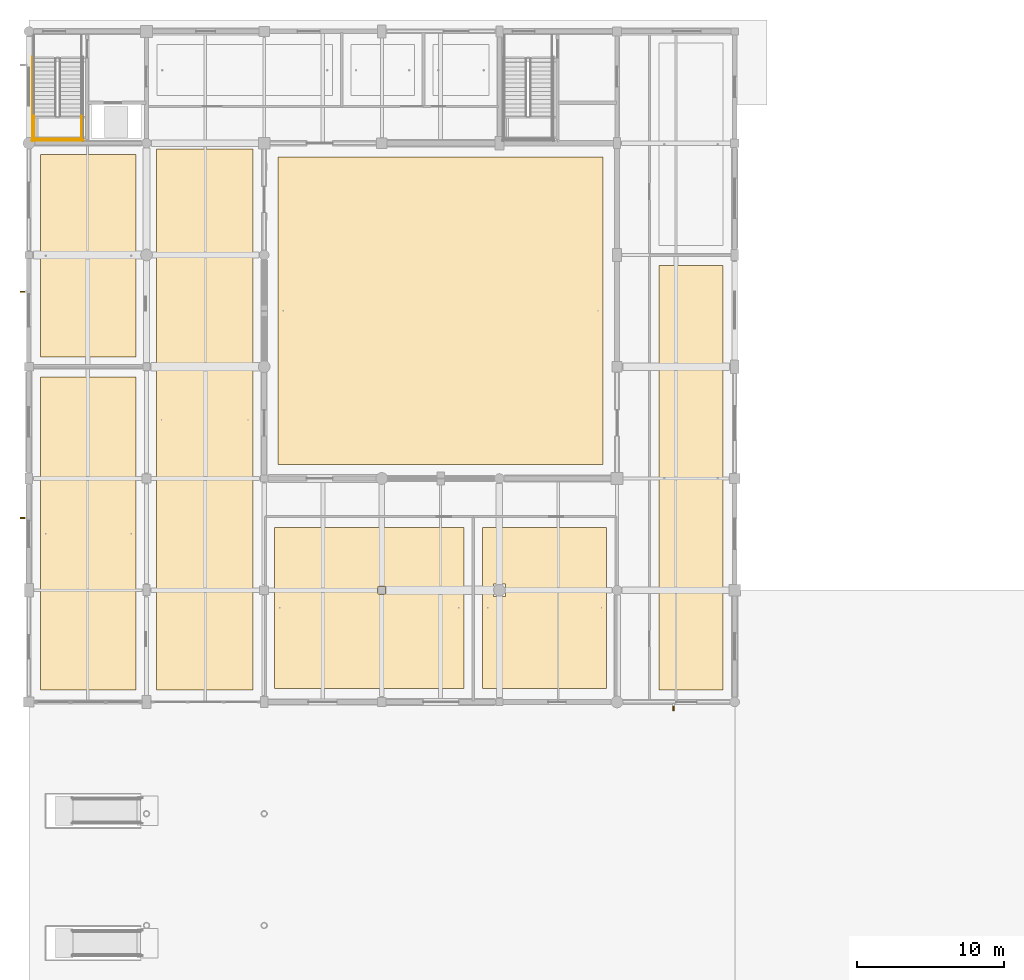
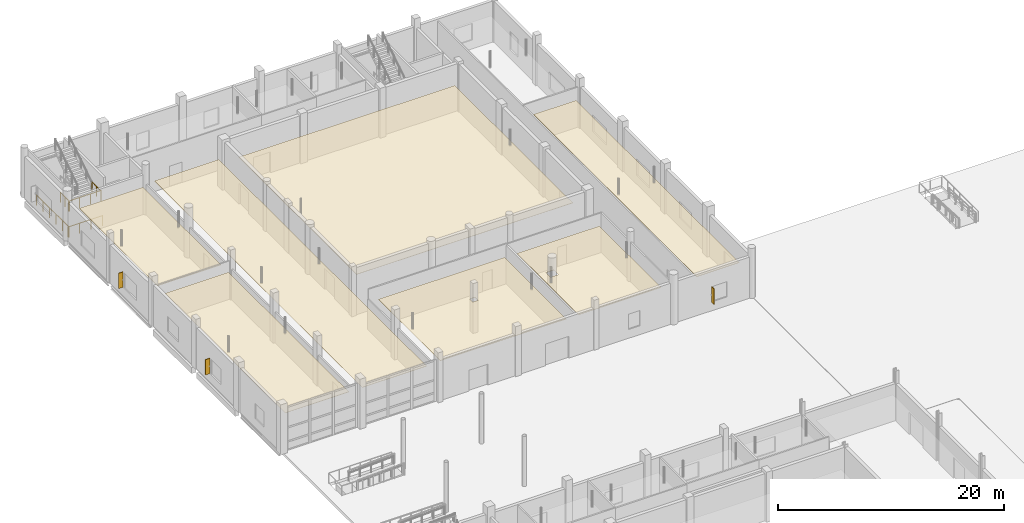
# One storey, part 117 of 126: 7 coverings, 5 railings, 3 shading devices.
"""IFC4 building model written with IfcOpenShell, lengths in metres."""

import ifcopenshell
import ifcopenshell.guid

model = None  # the IFC model being written
_history = None  # IfcOwnerHistory: only IFC2X3 demands one
_inside = {}  # id of a spatial element -> (the spatial element, [elements in it])
_under = {}  # id of a project, library or spatial element -> (it, [spatial elements below it])
_declared = {}  # id of a project -> (the project, [libraries it declares])
_typed = {}  # id of a type object -> (the type object, [elements of that type])
_made_of = {}  # id of a material, layer set ... -> (it, [elements and type objects made of it])


def new_model(schema):
    """Start an empty IFC model of exactly this schema.

    Asked for "IFC4X3", IfcOpenShell would pick the latest addendum, in which some entities
    have other attributes; the version numbers below select the first issue.
    IFC2X3 requires an IfcOwnerHistory on every rooted entity: one is made here for all.
    """
    global model, _history
    if schema == "IFC4X3":
        model = ifcopenshell.file(schema_version=(4, 3, 0, 0))
    else:
        model = ifcopenshell.file(schema=schema)
    _inside.clear()
    _under.clear()
    _declared.clear()
    _typed.clear()
    _made_of.clear()
    _history = None
    if model.schema == "IFC2X3":
        org = make("IfcOrganization", Name="unknown")
        user = make(
            "IfcPersonAndOrganization",
            ThePerson=make("IfcPerson", FamilyName="unknown"),
            TheOrganization=org,
        )
        app = make(
            "IfcApplication",
            ApplicationDeveloper=org,
            Version="unknown",
            ApplicationFullName="unknown",
            ApplicationIdentifier="unknown",
        )
        _history = make(
            "IfcOwnerHistory",
            OwningUser=user,
            OwningApplication=app,
            ChangeAction="ADDED",
            CreationDate=0,
        )
    return model


def make(cls, **values):
    """One entity of the class cls with the attributes given. An attribute that is None is left unset."""
    return model.create_entity(
        cls, **{name: value for name, value in values.items() if value is not None}
    )


def rooted(cls, **values):
    """An entity with a GlobalId (a new one), such as an element, a storey or a relation."""
    return make(cls, GlobalId=ifcopenshell.guid.new(), OwnerHistory=_history, **values)


def si_unit(unit_type, name, prefix=None):
    """IfcSIUnit, for example si_unit("LENGTHUNIT", "METRE", prefix="MILLI")."""
    return make("IfcSIUnit", UnitType=unit_type, Prefix=prefix, Name=name)


def assignment(units):
    """IfcUnitAssignment: the units of a project."""
    return None if units is None else make("IfcUnitAssignment", Units=units)


def point(xyz):
    """IfcCartesianPoint."""
    return None if xyz is None else make("IfcCartesianPoint", Coordinates=xyz)


def direction(xyz):
    """IfcDirection."""
    return None if xyz is None else make("IfcDirection", DirectionRatios=xyz)


def frame(location, z_axis=None, x_axis=None):
    """IfcAxis2Placement3D, a coordinate frame: its origin and axes. An axis left out is left unset."""
    return make(
        "IfcAxis2Placement3D",
        Location=point(location),
        Axis=direction(z_axis),
        RefDirection=direction(x_axis),
    )


def frame_2d(location, x_axis=None):
    """IfcAxis2Placement2D, a coordinate frame in the plane: its origin and x axis."""
    return make(
        "IfcAxis2Placement2D", Location=point(location), RefDirection=direction(x_axis)
    )


def origin():
    """The frame at (0, 0, 0) with its axes left unset."""
    return frame((0.0, 0.0, 0.0))


def origin_2d():
    """The frame at (0, 0) in the plane with its x axis left unset."""
    return frame_2d((0.0, 0.0))


def place(relative_to, where):
    """IfcLocalPlacement: puts the frame where relative to a parent placement (None: the world)."""
    return make(
        "IfcLocalPlacement", PlacementRelTo=relative_to, RelativePlacement=where
    )


def context(
    kind, dimensions, precision=None, world=None, true_north=None, identifier=None
):
    """IfcGeometricRepresentationContext, for example the 3D "Model" context."""
    return make(
        "IfcGeometricRepresentationContext",
        ContextIdentifier=identifier,
        ContextType=kind,
        CoordinateSpaceDimension=dimensions,
        Precision=precision,
        WorldCoordinateSystem=world,
        TrueNorth=true_north,
    )


def subcontext(parent, identifier, kind, view, scale=None):
    """IfcGeometricRepresentationSubContext, for example "Body" below "Model"."""
    return make(
        "IfcGeometricRepresentationSubContext",
        ContextIdentifier=identifier,
        ContextType=kind,
        ParentContext=parent,
        TargetScale=scale,
        TargetView=view,
    )


def project(units=None, contexts=None):
    """IfcProject with its units and contexts."""
    return rooted(
        "IfcProject",
        Name="project",
        RepresentationContexts=contexts,
        UnitsInContext=assignment(units),
    )


def spatial(cls, under=None, at=None, **own):
    """A site, building, storey or space (cls), placed at a placement, below another one or the project."""
    s = rooted(cls, ObjectPlacement=at, **own)
    if under is not None:
        _under.setdefault(under.id(), (under, []))[1].append(s)
    return s


def polyline(points):
    """IfcPolyline through the points."""
    return make("IfcPolyline", Points=[point(p) for p in points])


def profile(cls, at=None, kind="AREA", **sizes):
    """A parametric profile (cls). Its sizes go by their IFC names, for example OverallWidth=200.0."""
    return make(cls, ProfileType=kind, Position=at, **sizes)


def rectangle(**sizes):
    """IfcRectangleProfileDef."""
    return profile("IfcRectangleProfileDef", **sizes)


def circle(**sizes):
    """IfcCircleProfileDef."""
    return profile("IfcCircleProfileDef", **sizes)


def outline(outer, holes=None, kind="AREA"):
    """IfcArbitraryClosedProfileDef: a profile drawn as a closed curve; with holes, ...WithVoids."""
    if holes is None:
        return make("IfcArbitraryClosedProfileDef", ProfileType=kind, OuterCurve=outer)
    return make(
        "IfcArbitraryProfileDefWithVoids",
        ProfileType=kind,
        OuterCurve=outer,
        InnerCurves=holes,
    )


def extrude(swept, where, along, depth):
    """IfcExtrudedAreaSolid: the profile swept, set in the frame where, extruded along a direction by depth."""
    return make(
        "IfcExtrudedAreaSolid",
        SweptArea=swept,
        Position=where,
        ExtrudedDirection=direction(along),
        Depth=depth,
    )


def shape(context_of_items, identifier, shape_type, items):
    """IfcShapeRepresentation: the items that make up one representation, for example the "Body"."""
    return make(
        "IfcShapeRepresentation",
        ContextOfItems=context_of_items,
        RepresentationIdentifier=identifier,
        RepresentationType=shape_type,
        Items=items,
    )


def material(Name=None, Category=None):
    """IfcMaterial."""
    return make("IfcMaterial", Name=Name, Category=Category)


def layer(
    of_material, thickness, ventilated=None, Name=None, Category=None, Priority=None
):
    """IfcMaterialLayer: one layer of a wall or slab, of a material (None: an air gap)."""
    return make(
        "IfcMaterialLayer",
        Material=of_material,
        LayerThickness=thickness,
        IsVentilated=ventilated,
        Name=Name,
        Category=Category,
        Priority=Priority,
    )


def layer_set(layers, Name=None):
    """IfcMaterialLayerSet."""
    return make("IfcMaterialLayerSet", MaterialLayers=layers, LayerSetName=Name)


def made_of(thing, what):
    """Note that an element or type object is made of a material, layer set ...; save() writes the relation."""
    if what is not None:
        _made_of.setdefault(what.id(), (what, []))[1].append(thing)
    return thing


def type_object(cls, material=None, **own):
    """A type object (cls), such as IfcWallType, which elements share."""
    return made_of(rooted(cls, **own), material)


def element(
    cls,
    number,
    at=None,
    inside=None,
    cuts=None,
    type_object=None,
    material=None,
    context=None,
    identifier="Body",
    shape_type=None,
    held_by="IfcProductDefinitionShape",
    body=None,
    shapes=None,
    **own,
):
    """One element of the class cls, such as IfcWall. Its Tag is "e" and its number.

    at: its placement. inside: the storey or other place that contains it. cuts: it is an
    opening in that element (IfcRelVoidsElement). A single representation is given by context,
    identifier, shape_type and body (its items); several are given by shapes. held_by: the class
    of the entity that holds the representations. save() writes the other relations.
    """
    e = rooted(cls, Tag="e%d" % number, ObjectPlacement=at, **own)
    if body is not None:
        shapes = [shape(context, identifier, shape_type, body)]
    if shapes is not None:
        e.Representation = make(held_by, Representations=shapes)
    if inside is not None:
        _inside.setdefault(inside.id(), (inside, []))[1].append(e)
    if cuts is not None:
        rooted(
            "IfcRelVoidsElement", RelatingBuildingElement=cuts, RelatedOpeningElement=e
        )
    if type_object is not None:
        _typed.setdefault(type_object.id(), (type_object, []))[1].append(e)
    return made_of(e, material)


def aggregate(whole, parts):
    """IfcRelAggregates: a whole, such as a stair, and the parts it consists of."""
    return rooted("IfcRelAggregates", RelatingObject=whole, RelatedObjects=parts)


def save(model, path):
    """Write the relations noted so far, then the file.

    IfcRelAggregates (storeys below a building ...), IfcRelContainedInSpatialStructure (elements
    in a storey), IfcRelDefinesByType, IfcRelAssociatesMaterial and IfcRelDeclares: one each for
    every whole, place, type object, material and project.
    """
    for whole, parts in _under.values():
        aggregate(whole, parts)
    for where, things in _inside.values():
        rooted(
            "IfcRelContainedInSpatialStructure",
            RelatedElements=things,
            RelatingStructure=where,
        )
    for kind, things in _typed.values():
        rooted("IfcRelDefinesByType", RelatedObjects=things, RelatingType=kind)
    for what, things in _made_of.values():
        rooted("IfcRelAssociatesMaterial", RelatedObjects=things, RelatingMaterial=what)
    for by, libraries in _declared.values():
        rooted("IfcRelDeclares", RelatingContext=by, RelatedDefinitions=libraries)
    model.write(path)


model = new_model("IFC4")

# Units and contexts
model_context = context("Model", 3, precision=1e-05, world=origin(), true_north=direction((0.0, 1.0)))
body_context = subcontext(model_context, "Body", "Model", "MODEL_VIEW")
ifc_project = project(units=[si_unit("LENGTHUNIT", "METRE"), si_unit("AREAUNIT", "SQUARE_METRE"), si_unit("VOLUMEUNIT", "CUBIC_METRE"), si_unit("PLANEANGLEUNIT", "RADIAN"), si_unit("MASSUNIT", "GRAM", prefix="KILO")], contexts=[model_context])

# Site, building, storey
site_placement = place(None, origin())
site = spatial("IfcSite", under=ifc_project, at=site_placement, CompositionType="ELEMENT")
building_placement = place(site_placement, origin())
building = spatial("IfcBuilding", under=site, at=building_placement, Name="Khelvaren Railside Concert Hall", CompositionType="ELEMENT")
storey_placement = place(building_placement, origin())
storey = spatial("IfcBuildingStorey", under=building, at=storey_placement, Name="L00", CompositionType="ELEMENT", Elevation=0.0)

# Coverings
ifc_material_1 = material(Name="Mineral-wool acoustic baffle ceiling", Category="gypsum")
ifc_layer_1 = layer(ifc_material_1, 0.0400390625)
ifc_layer_set_1 = layer_set([ifc_layer_1], Name="Mineral-wool acoustic baffle ceiling")
covering_type_1 = type_object("IfcCoveringType", Name="CLG20", PredefinedType="CEILING", material=ifc_layer_set_1)
covering_1_placement = place(storey_placement, frame((0.0, 0.0, 3.409912109375)))
element("IfcCovering", 1, at=covering_1_placement, inside=storey, type_object=covering_type_1, Name="Suspended Acoustic Ceiling Lute and Viol Tuning Studio L00", PredefinedType="CEILING", context=body_context, shape_type="SweptSolid", body=[
    extrude(outline(polyline([(0.800048828125, 91.85009765625), (7.300048828125, 91.85009765625), (7.300048828125, 105.64990234375), (0.800048828125, 105.64990234375), (0.800048828125, 91.85009765625)])), origin(), (0.0, 0.0, 1.0), 0.0400390625),
])
covering_2_placement = place(storey_placement, frame((0.0, 0.0, 3.409912109375)))
element("IfcCovering", 2, at=covering_2_placement, inside=storey, type_object=covering_type_1, Name="Suspended Acoustic Ceiling Chamber Garden Entrance Foyer", PredefinedType="CEILING", context=body_context, shape_type="SweptSolid", body=[
    extrude(outline(polyline([(16.7099609375, 69.330078125), (29.592041015625, 69.330078125), (29.592041015625, 80.27001953125), (16.7099609375, 80.27001953125), (16.7099609375, 69.330078125)]), holes=[polyline([(23.735107421875, 75.735107421875), (24.264892578125, 75.735107421875), (24.264892578125, 76.264892578125), (23.735107421875, 76.264892578125), (23.735107421875, 75.735107421875)])]), origin(), (0.0, 0.0, 1.0), 0.0400390625),
])
ifc_material_2 = material(Name="Micro-perforated timber acoustic ceiling", Category="wood")
ifc_layer_2 = layer(ifc_material_2, 0.030029296875)
ifc_layer_set_2 = layer_set([ifc_layer_2], Name="Micro-perforated timber acoustic ceiling")
covering_type_2 = type_object("IfcCoveringType", Name="CLG77", PredefinedType="CEILING", material=ifc_layer_set_2)
covering_3_placement = place(storey_placement, frame((0.0, 0.0, 3.419921875)))
element("IfcCovering", 3, at=covering_3_placement, inside=storey, type_object=covering_type_2, Name="Suspended Acoustic Ceiling Chamber Pavilion L00 West Foyer", PredefinedType="CEILING", context=body_context, shape_type="SweptSolid", body=[
    extrude(outline(polyline([(8.669921875, 69.199951171875), (15.25, 69.199951171875), (15.25, 106.0), (8.669921875, 106.0), (8.669921875, 69.199951171875)])), origin(), (0.0, 0.0, 1.0), 0.030029296875),
])
covering_4_placement = place(storey_placement, frame((0.0, 0.0, 3.419921875)))
element("IfcCovering", 4, at=covering_4_placement, inside=storey, type_object=covering_type_2, Name="Suspended Acoustic Ceiling String Quartet Practice Room L00", PredefinedType="CEILING", context=body_context, shape_type="SweptSolid", body=[
    extrude(outline(polyline([(0.800048828125, 69.199951171875), (7.300048828125, 69.199951171875), (7.300048828125, 90.5), (0.800048828125, 90.5), (0.800048828125, 69.199951171875)])), origin(), (0.0, 0.0, 1.0), 0.030029296875),
])
covering_5_placement = place(storey_placement, frame((0.0, 0.0, 3.419921875)))
element("IfcCovering", 5, at=covering_5_placement, inside=storey, type_object=covering_type_2, Name="Suspended Acoustic Ceiling Harpsichord and Fortepiano Room L00", PredefinedType="CEILING", context=body_context, shape_type="SweptSolid", body=[
    extrude(outline(polyline([(42.85009765625, 69.199951171875), (47.199951171875, 69.199951171875), (47.199951171875, 98.10009765625), (42.85009765625, 98.10009765625), (42.85009765625, 69.199951171875)])), origin(), (0.0, 0.0, 1.0), 0.030029296875),
])
covering_6_placement = place(storey_placement, frame((0.0, 0.0, 3.419921875)))
element("IfcCovering", 6, at=covering_6_placement, inside=storey, type_object=covering_type_2, Name="Suspended Acoustic Ceiling Chamber Music Hall Stalls and Stage", PredefinedType="CEILING", context=body_context, shape_type="SweptSolid", body=[
    extrude(outline(polyline([(16.949951171875, 84.550048828125), (39.050048828125, 84.550048828125), (39.050048828125, 105.449951171875), (16.949951171875, 105.449951171875), (16.949951171875, 84.550048828125)])), origin(), (0.0, 0.0, 1.0), 0.030029296875),
])
covering_7_placement = place(storey_placement, frame((0.0, 0.0, 3.419921875)))
element("IfcCovering", 7, at=covering_7_placement, inside=storey, type_object=covering_type_2, Name="Suspended Acoustic Ceiling Chamber Cloakroom and Refreshment Bar", PredefinedType="CEILING", context=body_context, shape_type="SweptSolid", body=[
    extrude(outline(polyline([(30.85205078125, 69.330078125), (39.2900390625, 69.330078125), (39.2900390625, 80.27001953125), (30.85205078125, 80.27001953125), (30.85205078125, 69.330078125)]), holes=[polyline([(31.5849609375, 75.5849609375), (32.4150390625, 75.5849609375), (32.4150390625, 76.4150390625), (31.5849609375, 76.4150390625), (31.5849609375, 75.5849609375)])]), origin(), (0.0, 0.0, 1.0), 0.030029296875),
])

# Railings
ifc_material_3 = material(Name="Painted architectural steel", Category="steel")
railing_type = type_object("IfcRailingType", Name="GRD86", PredefinedType="GUARDRAIL", material=ifc_material_3)
for number, where, name in (
    (8, (0.35009765625, 108.239990234375, 2.699951171875), "L00 ST-07 stair guard 3"),
    (9, (3.570068359375, 108.239990234375, 2.699951171875), "L00 ST-07 stair guard 4"),
):
    element("IfcRailing", number, at=place(storey_placement, frame(where)), inside=storey, type_object=railing_type, Name=name, PredefinedType="GUARDRAIL", context=body_context, shape_type="SweptSolid", body=[
        extrude(circle(Radius=0.02392578125, at=origin_2d()), frame((0.0, 0.0, 1.076171875), z_axis=(0.0, -1.0, 0.0), x_axis=(1.0, 0.0, 0.0)), (0.0, 0.0, 1.0), 1.60009765625),
        extrude(circle(Radius=0.02099609375, at=origin_2d()), origin(), (0.0, 0.0, 1.0), 1.052001953125),
        extrude(circle(Radius=0.02099609375, at=origin_2d()), frame((0.0, -0.800048828125, 0.0)), (0.0, 0.0, 1.0), 1.052001953125),
        extrude(circle(Radius=0.02099609375, at=origin_2d()), frame((0.0, -1.60009765625, 0.0)), (0.0, 0.0, 1.0), 1.052001953125),
    ])
railing_1_placement = place(storey_placement, frame((0.300048828125, 106.68994140625, 2.699951171875)))
element("IfcRailing", 10, at=railing_1_placement, inside=storey, type_object=railing_type, Name="L00 ST-07 stair guard 5", PredefinedType="GUARDRAIL", context=body_context, shape_type="SweptSolid", body=[
    extrude(circle(Radius=0.02392578125, at=origin_2d()), frame((0.0, 0.0, 1.076171875), z_axis=(1.0, 0.0, 0.0), x_axis=(0.0, 1.0, 0.0)), (0.0, 0.0, 1.0), 3.320068359375),
    extrude(circle(Radius=0.02099609375, at=origin_2d()), origin(), (0.0, 0.0, 1.0), 1.052001953125),
    extrude(circle(Radius=0.02099609375, at=origin_2d()), frame((1.106689453125, 0.0, 0.0)), (0.0, 0.0, 1.0), 1.052001953125),
    extrude(circle(Radius=0.02099609375, at=origin_2d()), frame((2.21337890625, 0.0, 0.0)), (0.0, 0.0, 1.0), 1.052001953125),
    extrude(circle(Radius=0.02099609375, at=origin_2d()), frame((3.320068359375, 0.0, 0.0)), (0.0, 0.0, 1.0), 1.052001953125),
])
railing_2_placement = place(storey_placement, frame((0.25, 112.260009765625, 0.0)))
element("IfcRailing", 11, at=railing_2_placement, inside=storey, type_object=railing_type, Name="L00 ST-07 stair guard 10", PredefinedType="GUARDRAIL", context=body_context, shape_type="SweptSolid", body=[
    extrude(circle(Radius=0.02392578125, at=origin_2d()), frame((0.0, 0.0, 1.076171875), z_axis=(0.0, -1.0, 0.0), x_axis=(1.0, 0.0, 0.0)), (0.0, 0.0, 1.0), 5.719970703125),
    extrude(circle(Radius=0.02099609375, at=origin_2d()), origin(), (0.0, 0.0, 1.0), 1.052001953125),
    extrude(circle(Radius=0.02099609375, at=origin_2d()), frame((0.0, -1.14404296875, 0.0)), (0.0, 0.0, 1.0), 1.052001953125),
    extrude(circle(Radius=0.02099609375, at=origin_2d()), frame((0.0, -2.2880859375, 0.0)), (0.0, 0.0, 1.0), 1.052001953125),
    extrude(circle(Radius=0.02099609375, at=origin_2d()), frame((0.0, -3.431884765625, 0.0)), (0.0, 0.0, 1.0), 1.052001953125),
    extrude(circle(Radius=0.02099609375, at=origin_2d()), frame((0.0, -4.575927734375, 0.0)), (0.0, 0.0, 1.0), 1.052001953125),
    extrude(circle(Radius=0.02099609375, at=origin_2d()), frame((0.0, -5.719970703125, 0.0)), (0.0, 0.0, 1.0), 1.052001953125),
])
railing_3_placement = place(storey_placement, frame((0.199951171875, 106.590087890625, 0.0)))
element("IfcRailing", 12, at=railing_3_placement, inside=storey, type_object=railing_type, Name="L00 ST-07 stair guard 12", PredefinedType="GUARDRAIL", context=body_context, shape_type="SweptSolid", body=[
    extrude(circle(Radius=0.02392578125, at=origin_2d()), frame((0.0, 0.0, 1.076171875), z_axis=(1.0, 0.0, 0.0), x_axis=(0.0, 1.0, 0.0)), (0.0, 0.0, 1.0), 3.52001953125),
    extrude(circle(Radius=0.02099609375, at=origin_2d()), origin(), (0.0, 0.0, 1.0), 1.052001953125),
    extrude(circle(Radius=0.02099609375, at=origin_2d()), frame((1.17333984375, 0.0, 0.0)), (0.0, 0.0, 1.0), 1.052001953125),
    extrude(circle(Radius=0.02099609375, at=origin_2d()), frame((2.3466796875, 0.0, 0.0)), (0.0, 0.0, 1.0), 1.052001953125),
    extrude(circle(Radius=0.02099609375, at=origin_2d()), frame((3.52001953125, 0.0, 0.0)), (0.0, 0.0, 1.0), 1.052001953125),
])

# Shading devices
ifc_material_4 = material(Name="Anodised bronze aluminium 6063-T6", Category="aluminium")
shading_device_type = type_object("IfcShadingDeviceType", Name="SFN18", PredefinedType="USERDEFINED", material=ifc_material_4)
for number, where, z_axis, x_axis, name in (
    (13, (43.83251953125, 68.02490234375, 0.949951171875), (0.0, 0.0, 1.0), (-1.0, 0.0, 0.0), "Bronze Solar Shading Fin EW-V4-L00-S-40"),
    (14, (-0.375, 80.91748046875, 0.949951171875), (0.0, 0.0, 1.0), (0.0, 1.0, 0.0), "Bronze Solar Shading Fin EW-V4-L00-W-76"),
    (15, (-0.375, 96.304931640625, 0.949951171875), (0.0, 0.0, 1.0), (0.0, 1.0, 0.0), "Bronze Solar Shading Fin EW-V4-L00-W-91"),
):
    element("IfcShadingDevice", number, at=place(storey_placement, frame(where, z_axis=z_axis, x_axis=x_axis)), inside=storey, type_object=shading_device_type, Name=name, ObjectType="SOLAR FIN", PredefinedType="USERDEFINED", context=body_context, shape_type="SweptSolid", body=[
        extrude(rectangle(XDim=0.080078125, YDim=0.449951171875, at=origin_2d()), origin(), (0.0, 0.0, 1.0), 1.64990234375),
    ])

save(model, "model.ifc")
